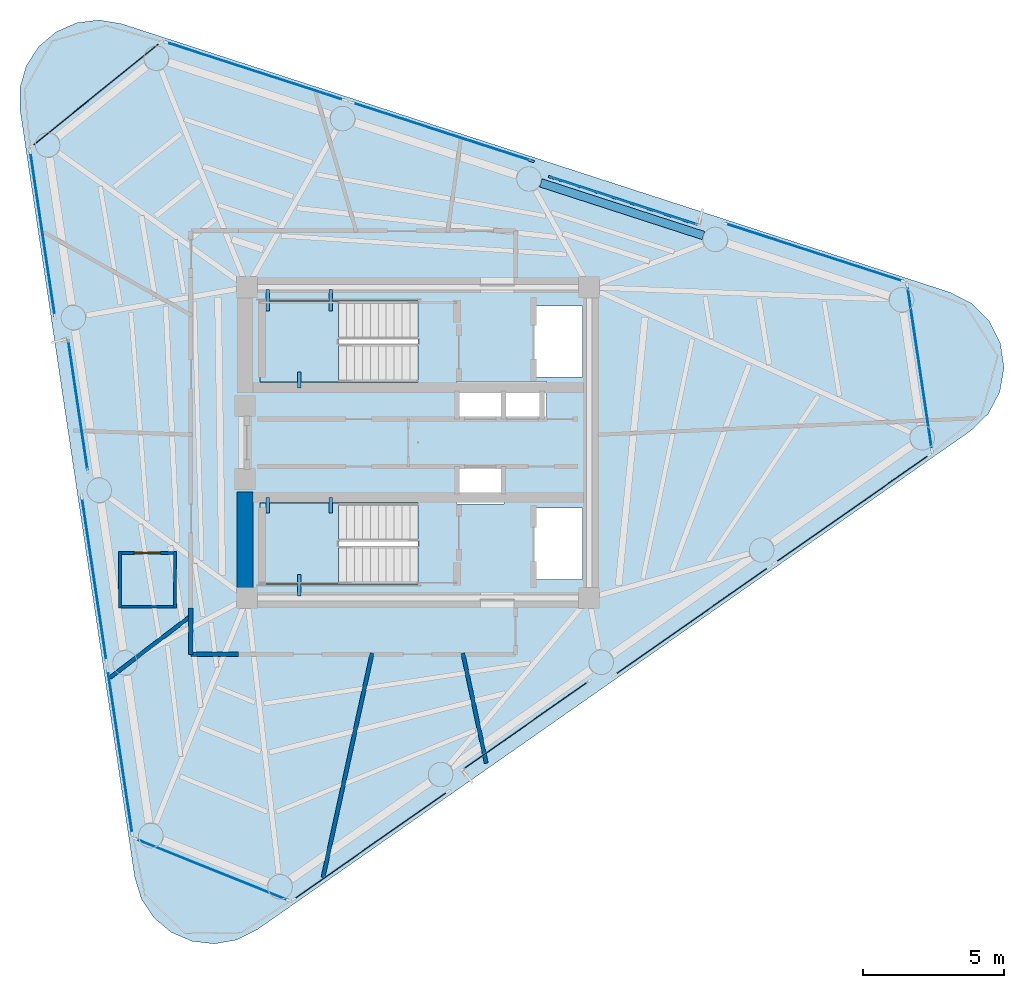
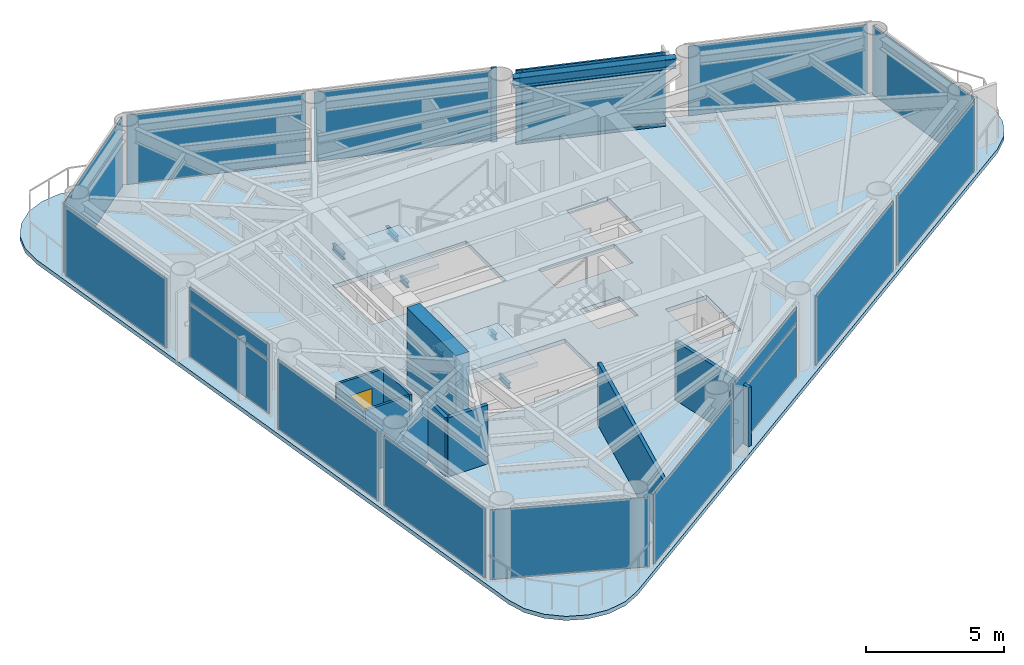
# One storey, part 4 of 9: 18 plates, 10 walls, 7 beams, 5 members, 3 slabs, 1 door, 1 opening, 17 elements without a shape of their own.
"""IFC4 building model written with IfcOpenShell, lengths in metres."""

from ifc_helpers import new_model, si_unit, direction, frame, frame_2d, origin, origin_2d, place, context, subcontext, project, spatial, polyline, rectangle, i_section, outline, extrude, source, transform, mapped, material, layer, layer_set, material_profile, profile_set, type_object, element, fill, aggregate, save


model = new_model("IFC4")

# Units and contexts
model_context = context("Model", 3, precision=1e-05, world=origin(), true_north=direction((0.0, 1.0)))
body_context = subcontext(model_context, "Body", "Model", "MODEL_VIEW")
ifc_project = project(units=[si_unit("LENGTHUNIT", "METRE"), si_unit("AREAUNIT", "SQUARE_METRE"), si_unit("VOLUMEUNIT", "CUBIC_METRE"), si_unit("PLANEANGLEUNIT", "RADIAN"), si_unit("MASSUNIT", "GRAM", prefix="KILO")], contexts=[model_context])

# Site, building, storey
site_placement = place(None, origin())
site = spatial("IfcSite", under=ifc_project, at=site_placement, CompositionType="ELEMENT")
building_placement = place(site_placement, origin())
building = spatial("IfcBuilding", under=site, at=building_placement, Name="Yunling Apex Tower", CompositionType="ELEMENT")
storey_placement = place(building_placement, frame((0.0, 0.0, 264.35009765625)))
storey = spatial("IfcBuildingStorey", under=building, at=storey_placement, Name="L64", CompositionType="ELEMENT", Elevation=264.35009765625)

# Beams
ifc_material_1 = material(Name="Steel Q355B", Category="steel")
ifc_material_profile_1 = material_profile(ifc_material_1, i_section(OverallWidth=0.125, OverallDepth=0.25, WebThickness=0.006103515625, FlangeThickness=0.009033203125, FilletRadius=0.011962890625, at=origin_2d()))
ifc_profile_set_1 = profile_set([ifc_material_profile_1], Name="Steel Q355B")
beam_type_1 = type_object("IfcBeamType", Name="BL-LNT-1", PredefinedType="LINTEL", material=ifc_profile_set_1)
shared_shape_1 = source(origin(), body_context, "Body", "SweptSolid", [
    extrude(i_section(OverallWidth=0.125, OverallDepth=0.25, WebThickness=0.006103515625, FlangeThickness=0.009033203125, FilletRadius=0.011962890625, at=origin_2d()), origin(), (0.0, 0.0, 1.0), 0.760009765625),
])
for number, where, z_axis, x_axis, name in (
    (1, (-5.320068359375, 5.419921875, 1.3798828125), (0.0, -1.0, 0.0), (1.0, 0.0, 0.0), "L64 ST-1 Landing Bearing Corbel 1-1"),
    (2, (-3.090087890625, 5.419921875, 1.3798828125), (0.0, -1.0, 0.0), (1.0, 0.0, 0.0), "L64 ST-1 Landing Bearing Corbel 1-2"),
    (3, (-4.205078125, -5.419921875, 1.3798828125), (0.0, 1.0, 0.0), (-1.0, 0.0, 0.0), "L64 ST-2 Landing Bearing Corbel 1-3"),
):
    element("IfcBeam", number, at=place(storey_placement, frame(where, z_axis=z_axis, x_axis=x_axis)), inside=storey, type_object=beam_type_1, Name=name, PredefinedType="LINTEL", context=body_context, shape_type="MappedRepresentation", body=[
        mapped(shared_shape_1, transform((0.0, 0.0, 0.0), scale=1.0)),
    ])
shared_shape_2 = source(origin(), body_context, "Body", "SweptSolid", [
    extrude(i_section(OverallWidth=0.125, OverallDepth=0.25, WebThickness=0.006103515625, FlangeThickness=0.009033203125, FilletRadius=0.011962890625, at=origin_2d()), origin(), (0.0, 0.0, 1.0), 0.550048828125),
])
for number, where, z_axis, x_axis, name in (
    (4, (-4.205078125, 1.93994140625, 1.3798828125), (0.0, 1.0, 0.0), (-1.0, 0.0, 0.0), "L64 ST-1 Landing Bearing Corbel 1-3"),
    (5, (-5.320068359375, -1.93994140625, 1.3798828125), (0.0, -1.0, 0.0), (1.0, 0.0, 0.0), "L64 ST-2 Landing Bearing Corbel 1-1"),
    (6, (-3.090087890625, -1.93994140625, 1.3798828125), (0.0, -1.0, 0.0), (1.0, 0.0, 0.0), "L64 ST-2 Landing Bearing Corbel 1-2"),
):
    element("IfcBeam", number, at=place(storey_placement, frame(where, z_axis=z_axis, x_axis=x_axis)), inside=storey, type_object=beam_type_1, Name=name, PredefinedType="LINTEL", context=body_context, shape_type="MappedRepresentation", body=[
        mapped(shared_shape_2, transform((0.0, 0.0, 0.0), scale=1.0)),
    ])
ifc_material_profile_2 = material_profile(ifc_material_1, i_section(OverallWidth=0.300048828125, OverallDepth=0.43994140625, WebThickness=0.010986328125, FlangeThickness=0.01806640625, FilletRadius=0.02197265625, at=origin_2d()))
ifc_profile_set_2 = profile_set([ifc_material_profile_2], Name="Steel Q355B")
beam_type_2 = type_object("IfcBeamType", Name="BP-SPN-3", PredefinedType="SPANDREL", material=ifc_profile_set_2)
shared_shape_3 = source(origin(), body_context, "Body", "SweptSolid", [
    extrude(i_section(OverallWidth=0.300048828125, OverallDepth=0.43994140625, WebThickness=0.010986328125, FlangeThickness=0.01806640625, FilletRadius=0.02197265625, at=origin_2d()), origin(), (0.0, 0.0, 1.0), 6.04345703125),
])
beam_placement = place(storey_placement, frame((10.09375, 7.326904296875, 3.0), z_axis=(-0.951272468705, 0.308351569289, 0.0), x_axis=(-0.308351569289, -0.951272468705, 0.0)))
element("IfcBeam", 7, at=beam_placement, inside=storey, type_object=beam_type_2, Name="L64 Perimeter Spandrel Beam 7", PredefinedType="SPANDREL", context=body_context, shape_type="MappedRepresentation", body=[
    mapped(shared_shape_3, transform((0.0, 0.0, 0.0), scale=1.0)),
])

# Curtain wall, member
ifc_material_2 = material(Name="Bronze anodised aluminium", Category="aluminium")
ifc_layer_1 = layer(ifc_material_2, 0.219970703125)
ifc_layer_set_1 = layer_set([ifc_layer_1], Name="Bronze anodised aluminium")
curtain_wall_type = type_object("IfcCurtainWallType", Name="CW-SYS-4", PredefinedType="NOTDEFINED", material=ifc_layer_set_1)
curtain_wall_1_placement = place(storey_placement, origin())
curtain_wall_1 = element("IfcCurtainWall", 8, at=curtain_wall_1_placement, inside=storey, type_object=curtain_wall_type, Name="CW-L64-F2-B2", PredefinedType="NOTDEFINED")
ifc_material_profile_3 = material_profile(ifc_material_2, rectangle(XDim=0.080078125, YDim=0.219970703125, at=origin_2d()))
ifc_profile_set_3 = profile_set([ifc_material_profile_3], Name="Bronze anodised aluminium")
member_type_1 = type_object("IfcMemberType", Name="CW-MUL-4", PredefinedType="MULLION", material=ifc_profile_set_3)
shared_shape_4 = source(origin(), body_context, "Body", "SweptSolid", [
    extrude(rectangle(XDim=0.080078125, YDim=0.219970703125, at=origin_2d()), origin(), (0.0, 0.0, 1.0), 3.320068359375),
])
member_1_placement = place(storey_placement, frame((4.71875, 9.384521484375, -0.050048828125), z_axis=(0.0, 0.0, 1.0), x_axis=(-0.30836941685, -0.951266683297, 0.0)))
member_1 = element("IfcMember", 9, at=member_1_placement, type_object=member_type_1, Name="CW-SYS-4 mullion 2", PredefinedType="MULLION", context=body_context, shape_type="MappedRepresentation", body=[
    mapped(shared_shape_4, transform((0.0, 0.0, 0.0), scale=1.0)),
])

curtain_wall_2_placement = place(storey_placement, origin())
curtain_wall_2 = element("IfcCurtainWall", 10, at=curtain_wall_2_placement, inside=storey, type_object=curtain_wall_type, Name="CW-L64-F2-B3", PredefinedType="NOTDEFINED")
member_2_placement = place(storey_placement, frame((4.00537109375, 9.97314453125, -0.050048828125), z_axis=(0.0, 0.0, 1.0), x_axis=(-0.308371076658, -0.95126614524, 0.0)))
member_2 = element("IfcMember", 11, at=member_2_placement, type_object=member_type_1, Name="CW-SYS-4 mullion 1", PredefinedType="MULLION", context=body_context, shape_type="MappedRepresentation", body=[
    mapped(shared_shape_4, transform((0.0, 0.0, 0.0), scale=1.0)),
])

# Member
ifc_material_profile_4 = material_profile(ifc_material_2, rectangle(XDim=0.080078125, YDim=0.169921875, at=origin_2d()))
ifc_profile_set_4 = profile_set([ifc_material_profile_4], Name="Bronze anodised aluminium")
member_type_2 = type_object("IfcMemberType", Name="CW-TRN-4", PredefinedType="USERDEFINED", material=ifc_profile_set_4)
shared_shape_5 = source(origin(), body_context, "Body", "SweptSolid", [
    extrude(rectangle(XDim=0.080078125, YDim=0.169921875, at=origin_2d()), origin(), (0.0, 0.0, 1.0), 5.3798828125),
])
member_3_placement = place(storey_placement, frame((9.87060546875, 7.71435546875, 0.039794921875), z_axis=(-0.951269238612, 0.308361534032, 0.0), x_axis=(-0.308361534032, -0.951269238612, 0.0)))
member_3 = element("IfcMember", 12, at=member_3_placement, type_object=member_type_2, Name="CW-SYS-4 transom 1.1", ObjectType="TRANSOM", PredefinedType="USERDEFINED", context=body_context, shape_type="MappedRepresentation", body=[
    mapped(shared_shape_5, transform((0.0, 0.0, 0.0), scale=1.0)),
])

member_4_placement = place(storey_placement, frame((9.87060546875, 7.71435546875, 2.447021484375), z_axis=(-0.951269238612, 0.308361534032, 0.0), x_axis=(-0.308361534032, -0.951269238612, 0.0)))
member_4 = element("IfcMember", 13, at=member_4_placement, type_object=member_type_2, Name="CW-SYS-4 transom 1.2", ObjectType="TRANSOM", PredefinedType="USERDEFINED", context=body_context, shape_type="MappedRepresentation", body=[
    mapped(shared_shape_5, transform((0.0, 0.0, 0.0), scale=1.0)),
])

member_5_placement = place(storey_placement, frame((9.87060546875, 7.71435546875, 3.179931640625), z_axis=(-0.951269238612, 0.308361534032, 0.0), x_axis=(-0.308361534032, -0.951269238612, 0.0)))
member_5 = element("IfcMember", 14, at=member_5_placement, type_object=member_type_2, Name="CW-SYS-4 transom 1.3", ObjectType="TRANSOM", PredefinedType="USERDEFINED", context=body_context, shape_type="MappedRepresentation", body=[
    mapped(shared_shape_5, transform((0.0, 0.0, 0.0), scale=1.0)),
])

# Slab
ifc_material_3 = material(Name="Concrete C40", Category="concrete")
ifc_layer_2 = layer(ifc_material_3, 0.155029296875)
ifc_layer_set_2 = layer_set([ifc_layer_2], Name="Concrete C40")
slab_type_1 = type_object("IfcSlabType", Name="SL-FLR-3", PredefinedType="FLOOR", material=ifc_layer_set_2)
slab_1_placement = place(storey_placement, frame((0.0, 0.0, -0.18017578125)))
element("IfcSlab", 15, at=slab_1_placement, inside=storey, type_object=slab_type_1, Name="L64 Composite Tower Floor Slab", PredefinedType="FLOOR", context=body_context, shape_type="SweptSolid", body=[
    extrude(outline(polyline([(-10.026123046875, -15.378173828125), (-9.794189453125, -16.145263671875), (-9.352294921875, -16.81396484375), (-8.737548828125, -17.328125), (-8.001220703125, -17.64501953125), (-7.205078125, -17.7373046875), (-6.415771484375, -17.59814453125), (-5.69921875, -17.23876953125), (19.549072265625, 0.414306640625), (20.177490234375, 1.021728515625), (20.585205078125, 1.794921875), (20.731689453125, 2.656494140625), (20.6025390625, 3.52099609375), (20.21044921875, 4.302001953125), (19.594482421875, 4.922119140625), (18.81591796875, 5.3193359375), (-10.490478515625, 14.819091796875), (-11.280517578125, 14.95361328125), (-12.076171875, 14.855712890625), (-12.810302734375, 14.534423828125), (-13.422119140625, 14.016357421875), (-13.859619140625, 13.344970703125), (-14.086669921875, 12.576416015625), (-14.083984375, 11.77490234375), (-10.026123046875, -15.378173828125)]), holes=[polyline([(4.090087890625, 4.840087890625), (5.81005859375, 4.840087890625), (5.81005859375, 2.320068359375), (4.090087890625, 2.320068359375), (4.090087890625, 4.840087890625)]), polyline([(4.090087890625, -4.840087890625), (4.090087890625, -2.320068359375), (5.81005859375, -2.320068359375), (5.81005859375, -4.840087890625), (4.090087890625, -4.840087890625)]), polyline([(4.534912109375, 0.794921875), (1.364990234375, 0.794921875), (1.364990234375, 2.1650390625), (4.534912109375, 2.1650390625), (4.534912109375, 0.794921875)]), polyline([(1.364990234375, -0.794921875), (3.034912109375, -0.794921875), (3.034912109375, -2.1650390625), (1.364990234375, -2.1650390625), (1.364990234375, -0.794921875)]), polyline([(-0.010009765625, -5.010009765625), (-5.60009765625, -5.010009765625), (-5.60009765625, -2.139892578125), (-0.010009765625, -2.139892578125), (-0.010009765625, -5.010009765625)]), polyline([(-0.010009765625, 2.139892578125), (-5.60009765625, 2.139892578125), (-5.60009765625, 5.010009765625), (-0.010009765625, 5.010009765625), (-0.010009765625, 2.139892578125)])]), origin(), (0.0, 0.0, 1.0), 0.18017578125),
])

# Stair, slab
stair_type = type_object("IfcStairType", Name="ST-TWR-3", PredefinedType="HALF_TURN_STAIR", material=ifc_material_3)
stair_1_placement = place(storey_placement, origin())
stair_1 = element("IfcStair", 16, at=stair_1_placement, inside=storey, type_object=stair_type, Name="L64 North Core Smokeproof Exit Stair ST-1", PredefinedType="HALF_TURN_STAIR")
ifc_layer_3 = layer(ifc_material_3, 0.195068359375)
ifc_layer_set_3 = layer_set([ifc_layer_3], Name="Concrete C40")
slab_type_2 = type_object("IfcSlabType", Name="SL-LND-1", PredefinedType="LANDING", material=ifc_layer_set_3)
slab_2_placement = place(storey_placement, frame((0.0, 0.0, 1.5048828125)))
slab_2 = element("IfcSlab", 17, at=slab_2_placement, type_object=slab_type_2, Name="ST-1 landing 1", PredefinedType="LANDING", context=body_context, shape_type="SweptSolid", body=[
    extrude(outline(polyline([(-2.81005859375, 5.010009765625), (-5.60009765625, 5.010009765625), (-5.60009765625, 2.139892578125), (-2.81005859375, 2.139892578125), (-2.81005859375, 5.010009765625)])), origin(), (0.0, 0.0, 1.0), 0.195068359375),
])
aggregate(stair_1, [slab_2])

stair_2_placement = place(storey_placement, origin())
stair_2 = element("IfcStair", 18, at=stair_2_placement, inside=storey, type_object=stair_type, Name="L64 South Core Smokeproof Exit Stair ST-2", PredefinedType="HALF_TURN_STAIR")
slab_3_placement = place(storey_placement, frame((0.0, 0.0, 1.5048828125)))
slab_3 = element("IfcSlab", 19, at=slab_3_placement, type_object=slab_type_2, Name="ST-2 landing 1", PredefinedType="LANDING", context=body_context, shape_type="SweptSolid", body=[
    extrude(outline(polyline([(-2.81005859375, -2.139892578125), (-5.60009765625, -2.139892578125), (-5.60009765625, -5.010009765625), (-2.81005859375, -5.010009765625), (-2.81005859375, -2.139892578125)])), origin(), (0.0, 0.0, 1.0), 0.195068359375),
])
aggregate(stair_2, [slab_3])

# Curtain wall, plate
curtain_wall_3_placement = place(storey_placement, origin())
curtain_wall_3 = element("IfcCurtainWall", 20, at=curtain_wall_3_placement, inside=storey, type_object=curtain_wall_type, Name="CW-L64-F1-B1", PredefinedType="NOTDEFINED")
ifc_material_4 = material(Name="Bronze tinted low-E glass", Category="glass")
ifc_layer_4 = layer(ifc_material_4, 0.030029296875)
ifc_layer_set_4 = layer_set([ifc_layer_4], Name="Bronze tinted low-E glass")
plate_type = type_object("IfcPlateType", Name="CW-PNL-4", PredefinedType="CURTAIN_PANEL", material=ifc_layer_set_4)
shared_shape_6 = source(origin(), body_context, "Body", "SweptSolid", [
    extrude(rectangle(XDim=6.627685546875, YDim=0.030029296875, at=origin_2d()), origin(), (0.0, 0.0, 1.0), 3.075927734375),
])
plate_1_placement = place(storey_placement, frame((-1.6767578125, -14.25537109375, 0.07177734375), z_axis=(0.0, 0.0, 1.0), x_axis=(0.819555084976, 0.573000403744, 0.0)))
plate_1 = element("IfcPlate", 21, at=plate_1_placement, type_object=plate_type, Name="CW-SYS-4 panel 1.1", PredefinedType="CURTAIN_PANEL", context=body_context, shape_type="MappedRepresentation", body=[
    mapped(shared_shape_6, transform((0.0, 0.0, 0.0), scale=1.0)),
])
aggregate(curtain_wall_3, [plate_1])

curtain_wall_4_placement = place(storey_placement, origin())
curtain_wall_4 = element("IfcCurtainWall", 22, at=curtain_wall_4_placement, inside=storey, type_object=curtain_wall_type, Name="CW-L64-F1-B3", PredefinedType="NOTDEFINED")
plate_2_placement = place(storey_placement, frame((9.68505859375, -6.3115234375, 0.07177734375), z_axis=(0.0, 0.0, 1.0), x_axis=(0.81954815017, 0.573010322379, 0.0)))
plate_2 = element("IfcPlate", 23, at=plate_2_placement, type_object=plate_type, Name="CW-SYS-4 panel 1.1", PredefinedType="CURTAIN_PANEL", context=body_context, shape_type="MappedRepresentation", body=[
    mapped(shared_shape_6, transform((0.0, 0.0, 0.0), scale=1.0)),
])
aggregate(curtain_wall_4, [plate_2])

curtain_wall_5_placement = place(storey_placement, origin())
curtain_wall_5 = element("IfcCurtainWall", 24, at=curtain_wall_5_placement, inside=storey, type_object=curtain_wall_type, Name="CW-L64-F1-B4", PredefinedType="NOTDEFINED")
plate_3_placement = place(storey_placement, frame((15.365966796875, -2.339599609375, 0.07177734375), z_axis=(0.0, 0.0, 1.0), x_axis=(0.819555084976, 0.573000403744, 0.0)))
plate_3 = element("IfcPlate", 25, at=plate_3_placement, type_object=plate_type, Name="CW-SYS-4 panel 1.1", PredefinedType="CURTAIN_PANEL", context=body_context, shape_type="MappedRepresentation", body=[
    mapped(shared_shape_6, transform((0.0, 0.0, 0.0), scale=1.0)),
])
aggregate(curtain_wall_5, [plate_3])

curtain_wall_6_placement = place(storey_placement, origin())
curtain_wall_6 = element("IfcCurtainWall", 26, at=curtain_wall_6_placement, inside=storey, type_object=curtain_wall_type, Name="CW-L64-F2-B1", PredefinedType="NOTDEFINED")
plate_4_placement = place(storey_placement, frame((14.010498046875, 6.72998046875, 0.07177734375), z_axis=(0.0, 0.0, 1.0), x_axis=(-0.951271881173, 0.308353381834, 0.0)))
plate_4 = element("IfcPlate", 27, at=plate_4_placement, type_object=plate_type, Name="CW-SYS-4 panel 1.1", PredefinedType="CURTAIN_PANEL", context=body_context, shape_type="MappedRepresentation", body=[
    mapped(shared_shape_6, transform((0.0, 0.0, 0.0), scale=1.0)),
])
aggregate(curtain_wall_6, [plate_4])

# Plate
plate_5_placement = place(storey_placement, frame((0.82275390625, 11.0048828125, 0.07177734375), z_axis=(0.0, 0.0, 1.0), x_axis=(-0.95126614524, 0.308371076658, 0.0)))
plate_5 = element("IfcPlate", 28, at=plate_5_placement, type_object=plate_type, Name="CW-SYS-4 panel 1.1", PredefinedType="CURTAIN_PANEL", context=body_context, shape_type="MappedRepresentation", body=[
    mapped(shared_shape_6, transform((0.0, 0.0, 0.0), scale=1.0)),
])

aggregate(curtain_wall_2, [member_2, plate_5])

# Curtain wall, plate
curtain_wall_7_placement = place(storey_placement, origin())
curtain_wall_7 = element("IfcCurtainWall", 29, at=curtain_wall_7_placement, inside=storey, type_object=curtain_wall_type, Name="CW-L64-F2-B4", PredefinedType="NOTDEFINED")
plate_6_placement = place(storey_placement, frame((-5.771240234375, 13.142333984375, 0.07177734375), z_axis=(0.0, 0.0, 1.0), x_axis=(-0.951271881173, 0.308353381834, 0.0)))
plate_6 = element("IfcPlate", 30, at=plate_6_placement, type_object=plate_type, Name="CW-SYS-4 panel 1.1", PredefinedType="CURTAIN_PANEL", context=body_context, shape_type="MappedRepresentation", body=[
    mapped(shared_shape_6, transform((0.0, 0.0, 0.0), scale=1.0)),
])
aggregate(curtain_wall_7, [plate_6])

curtain_wall_8_placement = place(storey_placement, origin())
curtain_wall_8 = element("IfcCurtainWall", 31, at=curtain_wall_8_placement, inside=storey, type_object=curtain_wall_type, Name="CW-L64-F1-B2", PredefinedType="NOTDEFINED")
shared_shape_7 = source(origin(), body_context, "Body", "SweptSolid", [
    extrude(rectangle(XDim=5.3876953125, YDim=0.030029296875, at=origin_2d()), origin(), (0.0, 0.0, 1.0), 2.34326171875),
])
plate_7_placement = place(storey_placement, frame((3.809326171875, -10.0048828125, 0.07177734375), z_axis=(0.0, 0.0, 1.0), x_axis=(0.819556211708, 0.57299879219, 0.0)))
plate_7 = element("IfcPlate", 32, at=plate_7_placement, type_object=plate_type, Name="CW-SYS-4 panel 1.1", PredefinedType="CURTAIN_PANEL", context=body_context, shape_type="MappedRepresentation", body=[
    mapped(shared_shape_7, transform((0.0, 0.0, 0.0), scale=1.0)),
])

# Plate
plate_8_placement = place(storey_placement, frame((7.311767578125, 8.5439453125, 0.07177734375), z_axis=(0.0, 0.0, 1.0), x_axis=(-0.951266683297, 0.30836941685, 0.0)))
plate_8 = element("IfcPlate", 33, at=plate_8_placement, type_object=plate_type, Name="CW-SYS-4 panel 1.1", PredefinedType="CURTAIN_PANEL", context=body_context, shape_type="MappedRepresentation", body=[
    mapped(shared_shape_7, transform((0.0, 0.0, 0.0), scale=1.0)),
])

shared_shape_8 = source(origin(), body_context, "Body", "SweptSolid", [
    extrude(rectangle(XDim=5.3876953125, YDim=0.030029296875, at=origin_2d()), origin(), (0.0, 0.0, 1.0), 0.668701171875),
])
plate_9_placement = place(storey_placement, frame((3.809326171875, -10.0048828125, 2.47900390625), z_axis=(0.0, 0.0, 1.0), x_axis=(0.819556211708, 0.57299879219, 0.0)))
plate_9 = element("IfcPlate", 34, at=plate_9_placement, type_object=plate_type, Name="CW-SYS-4 panel 1.2", PredefinedType="CURTAIN_PANEL", context=body_context, shape_type="MappedRepresentation", body=[
    mapped(shared_shape_8, transform((0.0, 0.0, 0.0), scale=1.0)),
])

aggregate(curtain_wall_8, [plate_7, plate_9])

plate_10_placement = place(storey_placement, frame((7.311767578125, 8.5439453125, 2.47900390625), z_axis=(0.0, 0.0, 1.0), x_axis=(-0.951266683297, 0.30836941685, 0.0)))
plate_10 = element("IfcPlate", 35, at=plate_10_placement, type_object=plate_type, Name="CW-SYS-4 panel 1.2", PredefinedType="CURTAIN_PANEL", context=body_context, shape_type="MappedRepresentation", body=[
    mapped(shared_shape_8, transform((0.0, 0.0, 0.0), scale=1.0)),
])

aggregate(curtain_wall_1, [member_1, member_3, member_4, member_5, plate_8, plate_10])

# Curtain wall, plate
curtain_wall_9_placement = place(storey_placement, origin())
curtain_wall_9 = element("IfcCurtainWall", 36, at=curtain_wall_9_placement, inside=storey, type_object=curtain_wall_type, Name="CW-L64-CRN1", PredefinedType="NOTDEFINED")
shared_shape_9 = source(origin(), body_context, "Body", "SweptSolid", [
    extrude(rectangle(XDim=5.90185546875, YDim=0.030029296875, at=origin_2d()), origin(), (0.0, 0.0, 1.0), 3.075927734375),
])
plate_11_placement = place(storey_placement, frame((17.748291015625, 2.65234375, 0.07177734375), z_axis=(0.0, 0.0, 1.0), x_axis=(-0.147802573571, 0.989016885218, 0.0)))
plate_11 = element("IfcPlate", 37, at=plate_11_placement, type_object=plate_type, Name="CW-SYS-4 panel 1.1", PredefinedType="CURTAIN_PANEL", context=body_context, shape_type="MappedRepresentation", body=[
    mapped(shared_shape_9, transform((0.0, 0.0, 0.0), scale=1.0)),
])
aggregate(curtain_wall_9, [plate_11])

curtain_wall_10_placement = place(storey_placement, origin())
curtain_wall_10 = element("IfcCurtainWall", 38, at=curtain_wall_10_placement, inside=storey, type_object=curtain_wall_type, Name="CW-L64-CRN2", PredefinedType="NOTDEFINED")
shared_shape_10 = source(origin(), body_context, "Body", "SweptSolid", [
    extrude(rectangle(XDim=5.829345703125, YDim=0.030029296875, at=origin_2d()), origin(), (0.0, 0.0, 1.0), 3.075927734375),
])
plate_12_placement = place(storey_placement, frame((-11.398681640625, 12.31640625, 0.07177734375), z_axis=(0.0, 0.0, 1.0), x_axis=(-0.778222477019, -0.627988675266, 0.0)))
plate_12 = element("IfcPlate", 39, at=plate_12_placement, type_object=plate_type, Name="CW-SYS-4 panel 1.1", PredefinedType="CURTAIN_PANEL", context=body_context, shape_type="MappedRepresentation", body=[
    mapped(shared_shape_10, transform((0.0, 0.0, 0.0), scale=1.0)),
])
aggregate(curtain_wall_10, [plate_12])

curtain_wall_11_placement = place(storey_placement, origin())
curtain_wall_11 = element("IfcCurtainWall", 40, at=curtain_wall_11_placement, inside=storey, type_object=curtain_wall_type, Name="CW-L64-CRN3", PredefinedType="NOTDEFINED")
plate_13_placement = place(storey_placement, frame((-7.2998046875, -15.11083984375, 0.07177734375), z_axis=(0.0, 0.0, 1.0), x_axis=(0.927827569859, -0.373009384078, 0.0)))
plate_13 = element("IfcPlate", 41, at=plate_13_placement, type_object=plate_type, Name="CW-SYS-4 panel 1.1", PredefinedType="CURTAIN_PANEL", context=body_context, shape_type="MappedRepresentation", body=[
    mapped(shared_shape_10, transform((0.0, 0.0, 0.0), scale=1.0)),
])
aggregate(curtain_wall_11, [plate_13])

curtain_wall_12_placement = place(storey_placement, origin())
curtain_wall_12 = element("IfcCurtainWall", 42, at=curtain_wall_12_placement, inside=storey, type_object=curtain_wall_type, Name="CW-L64-F3-B1", PredefinedType="NOTDEFINED")
shared_shape_11 = source(origin(), body_context, "Body", "SweptSolid", [
    extrude(rectangle(XDim=5.873291015625, YDim=0.030029296875, at=origin_2d()), origin(), (0.0, 0.0, 1.0), 3.075927734375),
])
plate_14_placement = place(storey_placement, frame((-13.2861328125, 7.38330078125, 0.07177734375), z_axis=(0.0, 0.0, 1.0), x_axis=(0.147807330522, -0.989016174309, 0.0)))
plate_14 = element("IfcPlate", 43, at=plate_14_placement, type_object=plate_type, Name="CW-SYS-4 panel 1.1", PredefinedType="CURTAIN_PANEL", context=body_context, shape_type="MappedRepresentation", body=[
    mapped(shared_shape_11, transform((0.0, 0.0, 0.0), scale=1.0)),
])
aggregate(curtain_wall_12, [plate_14])

curtain_wall_13_placement = place(storey_placement, origin())
curtain_wall_13 = element("IfcCurtainWall", 44, at=curtain_wall_13_placement, inside=storey, type_object=curtain_wall_type, Name="CW-L64-F3-B3", PredefinedType="NOTDEFINED")
plate_15_placement = place(storey_placement, frame((-11.460205078125, -4.835693359375, 0.07177734375), z_axis=(0.0, 0.0, 1.0), x_axis=(0.147807330522, -0.989016174309, 0.0)))
plate_15 = element("IfcPlate", 45, at=plate_15_placement, type_object=plate_type, Name="CW-SYS-4 panel 1.1", PredefinedType="CURTAIN_PANEL", context=body_context, shape_type="MappedRepresentation", body=[
    mapped(shared_shape_11, transform((0.0, 0.0, 0.0), scale=1.0)),
])
aggregate(curtain_wall_13, [plate_15])

curtain_wall_14_placement = place(storey_placement, origin())
curtain_wall_14 = element("IfcCurtainWall", 46, at=curtain_wall_14_placement, inside=storey, type_object=curtain_wall_type, Name="CW-L64-F3-B4", PredefinedType="NOTDEFINED")
plate_16_placement = place(storey_placement, frame((-10.547119140625, -10.945068359375, 0.07177734375), z_axis=(0.0, 0.0, 1.0), x_axis=(0.147791074763, -0.989018603576, 0.0)))
plate_16 = element("IfcPlate", 47, at=plate_16_placement, type_object=plate_type, Name="CW-SYS-4 panel 1.1", PredefinedType="CURTAIN_PANEL", context=body_context, shape_type="MappedRepresentation", body=[
    mapped(shared_shape_11, transform((0.0, 0.0, 0.0), scale=1.0)),
])
aggregate(curtain_wall_14, [plate_16])

# Curtain wall, plates
curtain_wall_15_placement = place(storey_placement, origin())
curtain_wall_15 = element("IfcCurtainWall", 48, at=curtain_wall_15_placement, inside=storey, type_object=curtain_wall_type, Name="CW-L64-F3-B2", PredefinedType="NOTDEFINED")
shared_shape_12 = source(origin(), body_context, "Body", "SweptSolid", [
    extrude(rectangle(XDim=4.63330078125, YDim=0.030029296875, at=origin_2d()), origin(), (0.0, 0.0, 1.0), 2.34326171875),
])
plate_17_placement = place(storey_placement, frame((-12.036865234375, 1.323974609375, 0.07177734375), z_axis=(0.0, 0.0, 1.0), x_axis=(0.147804068926, -0.989016661745, 0.0)))
plate_17 = element("IfcPlate", 49, at=plate_17_placement, type_object=plate_type, Name="CW-SYS-4 panel 1.1", PredefinedType="CURTAIN_PANEL", context=body_context, shape_type="MappedRepresentation", body=[
    mapped(shared_shape_12, transform((0.0, 0.0, 0.0), scale=1.0)),
])
shared_shape_13 = source(origin(), body_context, "Body", "SweptSolid", [
    extrude(rectangle(XDim=4.63330078125, YDim=0.030029296875, at=origin_2d()), origin(), (0.0, 0.0, 1.0), 0.668701171875),
])
plate_18_placement = place(storey_placement, frame((-12.036865234375, 1.323974609375, 2.47900390625), z_axis=(0.0, 0.0, 1.0), x_axis=(0.147804068926, -0.989016661745, 0.0)))
plate_18 = element("IfcPlate", 50, at=plate_18_placement, type_object=plate_type, Name="CW-SYS-4 panel 1.2", PredefinedType="CURTAIN_PANEL", context=body_context, shape_type="MappedRepresentation", body=[
    mapped(shared_shape_13, transform((0.0, 0.0, 0.0), scale=1.0)),
])
aggregate(curtain_wall_15, [plate_17, plate_18])

# Walls
ifc_layer_5 = layer(ifc_material_3, 0.550048828125)
ifc_layer_set_5 = layer_set([ifc_layer_5], Name="Concrete C40")
wall_type_1 = type_object("IfcWallType", Name="WL-COR-3", PredefinedType="SHEAR", material=ifc_layer_set_5)
wall_1_placement = place(storey_placement, frame((-6.125, -5.300048828125, 0.0), z_axis=(0.0, 0.0, 1.0), x_axis=(0.0, 1.0, 0.0)))
element("IfcWall", 51, at=wall_1_placement, inside=storey, type_object=wall_type_1, Name="L64 West-South Core Shear Wall", PredefinedType="SHEAR", context=body_context, shape_type="SweptSolid", body=[
    extrude(rectangle(XDim=3.550048828125, YDim=0.550048828125, at=frame_2d((1.77490234375, 0.0))), origin(), (0.0, 0.0, 1.0), 3.39990234375),
])
ifc_material_5 = material(Name="Gypsum board acoustic partition")
ifc_layer_6 = layer(ifc_material_5, 0.159912109375)
ifc_layer_set_6 = layer_set([ifc_layer_6], Name="Gypsum board acoustic partition")
wall_type_2 = type_object("IfcWallType", Name="WL-PRT-1", PredefinedType="PARTITIONING", material=ifc_layer_set_6)
wall_2_placement = place(storey_placement, frame((-6.360107421875, -7.489990234375, 0.0), z_axis=(0.0, 0.0, 1.0), x_axis=(-1.0, 0.0, 0.0)))
element("IfcWall", 52, at=wall_2_placement, inside=storey, type_object=wall_type_2, Name="WL-CORR-L64-07", PredefinedType="PARTITIONING", context=body_context, shape_type="SweptSolid", body=[
    extrude(rectangle(XDim=1.679931640625, YDim=0.159912109375, at=frame_2d((0.83984375, 0.0))), origin(), (0.0, 0.0, 1.0), 2.60498046875),
])
wall_3_placement = place(storey_placement, frame((-8.0400390625, -7.489990234375, 0.0), z_axis=(0.0, 0.0, 1.0), x_axis=(0.0, 1.0, 0.0)))
element("IfcWall", 53, at=wall_3_placement, inside=storey, type_object=wall_type_2, Name="WL-CORR-L64-08", PredefinedType="PARTITIONING", context=body_context, shape_type="SweptSolid", body=[
    extrude(rectangle(XDim=1.639892578125, YDim=0.159912109375, at=frame_2d((0.81982421875, 0.0))), origin(), (0.0, 0.0, 1.0), 2.60498046875),
])
ifc_layer_7 = layer(ifc_material_5, 0.139892578125)
ifc_layer_set_7 = layer_set([ifc_layer_7], Name="Gypsum board acoustic partition")
wall_type_3 = type_object("IfcWallType", Name="WL-PRT-2", PredefinedType="PARTITIONING", material=ifc_layer_set_7)
wall_4_placement = place(storey_placement, frame((-8.0, -6.101806640625, 0.0), z_axis=(0.0, 0.0, 1.0), x_axis=(-0.795138118829, -0.606428373335, 0.0)))
element("IfcWall", 54, at=wall_4_placement, inside=storey, type_object=wall_type_3, Name="WL-RAD-L64-06", PredefinedType="PARTITIONING", context=body_context, shape_type="SweptSolid", body=[
    extrude(rectangle(XDim=3.64697265625, YDim=0.139892578125, at=frame_2d((1.823486328125, 0.0))), origin(), (0.0, 0.0, 1.0), 2.60498046875),
])
wall_5_placement = place(storey_placement, frame((-1.62890625, -7.449951171875, 0.0), z_axis=(0.0, 0.0, 1.0), x_axis=(-0.213607255038, -0.976919618287, 0.0)))
element("IfcWall", 55, at=wall_5_placement, inside=storey, type_object=wall_type_3, Name="WL-RAD-L64-07", PredefinedType="PARTITIONING", context=body_context, shape_type="SweptSolid", body=[
    extrude(rectangle(XDim=8.1240234375, YDim=0.139892578125, at=frame_2d((4.06201171875, 0.0))), origin(), (0.0, 0.0, 1.0), 2.764892578125),
])
wall_6_placement = place(storey_placement, frame((1.58349609375, -7.449951171875, 0.0), z_axis=(0.0, 0.0, 1.0), x_axis=(0.207930561362, -0.978143589485, 0.0)))
element("IfcWall", 56, at=wall_6_placement, inside=storey, type_object=wall_type_3, Name="WL-RAD-L64-08", PredefinedType="PARTITIONING", context=body_context, shape_type="SweptSolid", body=[
    extrude(rectangle(XDim=3.985107421875, YDim=0.139892578125, at=frame_2d((1.99267578125, 0.0))), origin(), (0.0, 0.0, 1.0), 2.60498046875),
])

# Wall, opening, door
ifc_layer_8 = layer(ifc_material_5, 0.10009765625)
ifc_layer_set_8 = layer_set([ifc_layer_8], Name="Gypsum board acoustic partition")
wall_type_4 = type_object("IfcWallType", Name="WL-PRT-4", PredefinedType="PARTITIONING", material=ifc_layer_set_8)
wall_7_placement = place(storey_placement, frame((-10.60302734375, -3.906982421875, 0.0), z_axis=(0.0, 0.0, 1.0), x_axis=(1.0, 0.0, 0.0)))
wall_7 = element("IfcWall", 57, at=wall_7_placement, inside=storey, type_object=wall_type_4, Name="WL-L64-RWC1N", PredefinedType="PARTITIONING", context=body_context, shape_type="SweptSolid", body=[
    extrude(rectangle(XDim=2.050048828125, YDim=0.10009765625, at=frame_2d((1.02490234375, 0.0))), origin(), (0.0, 0.0, 1.0), 2.804931640625),
])
opening_placement = place(wall_7_placement, frame((0.56494140625, 0.0, 0.0)))
opening = element("IfcOpeningElement", 58, at=opening_placement, cuts=wall_7, Name="Opening DR-WC-1", PredefinedType="OPENING", context=body_context, shape_type="SweptSolid", body=[
    extrude(rectangle(XDim=0.919921875, YDim=2.10009765625, at=frame_2d((0.4599609375, 1.050048828125))), frame((0.0, 0.06005859375, 0.0), z_axis=(0.0, -1.0, 0.0), x_axis=(1.0, 0.0, 0.0)), (0.0, 0.0, 1.0), 0.1201171875),
])
ifc_material_6 = material(Name="Timber moisture-resistant leaf", Category="wood")
door_type = type_object("IfcDoorType", Name="DR-WC-1", OperationType="NOTDEFINED", PredefinedType="DOOR", material=ifc_material_6)
door_placement = place(opening_placement, origin())
door = element("IfcDoor", 59, at=door_placement, inside=storey, type_object=door_type, Name="L64 Accessible WC Door", OperationType="SINGLE_SWING_RIGHT", OverallHeight=2.10009765625, OverallWidth=0.919921875, PredefinedType="DOOR", context=body_context, shape_type="SweptSolid", body=[
    extrude(rectangle(XDim=0.919921875, YDim=2.10009765625, at=frame_2d((0.4599609375, 1.050048828125))), frame((0.0, 0.02490234375, 0.0), z_axis=(0.0, -1.0, 0.0), x_axis=(1.0, 0.0, 0.0)), (0.0, 0.0, 1.0), 0.050048828125),
])
fill(opening, door)

# Walls
wall_8_placement = place(storey_placement, frame((-8.552978515625, -5.806884765625, 0.0), z_axis=(0.0, 0.0, 1.0), x_axis=(-1.0, 0.0, 0.0)))
element("IfcWall", 60, at=wall_8_placement, inside=storey, type_object=wall_type_4, Name="WL-L64-RWC1S", PredefinedType="PARTITIONING", context=body_context, shape_type="SweptSolid", body=[
    extrude(rectangle(XDim=2.050048828125, YDim=0.10009765625, at=frame_2d((1.02490234375, 0.0))), origin(), (0.0, 0.0, 1.0), 2.764892578125),
])
wall_9_placement = place(storey_placement, frame((-8.60302734375, -3.85693359375, 0.0), z_axis=(0.0, 0.0, 1.0), x_axis=(0.0, -1.0, 0.0)))
element("IfcWall", 61, at=wall_9_placement, inside=storey, type_object=wall_type_4, Name="WL-L64-RWC1E", PredefinedType="PARTITIONING", context=body_context, shape_type="SweptSolid", body=[
    extrude(rectangle(XDim=2.0, YDim=0.10009765625, at=frame_2d((1.0, 0.0))), origin(), (0.0, 0.0, 1.0), 2.804931640625),
])
wall_10_placement = place(storey_placement, frame((-10.552978515625, -5.85693359375, 0.0), z_axis=(0.0, 0.0, 1.0), x_axis=(0.0, 1.0, 0.0)))
element("IfcWall", 62, at=wall_10_placement, inside=storey, type_object=wall_type_4, Name="WL-L64-RWC1W", PredefinedType="PARTITIONING", context=body_context, shape_type="SweptSolid", body=[
    extrude(rectangle(XDim=2.0, YDim=0.10009765625, at=frame_2d((1.0, 0.0))), origin(), (0.0, 0.0, 1.0), 2.764892578125),
])

save(model, "model.ifc")
